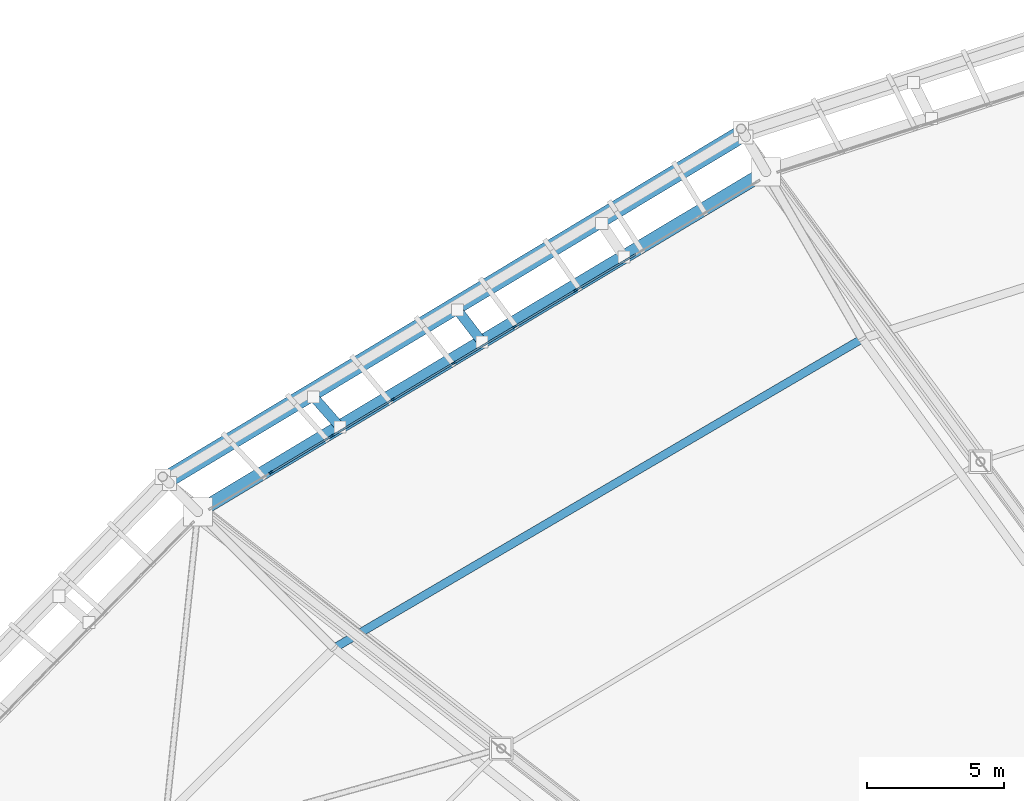
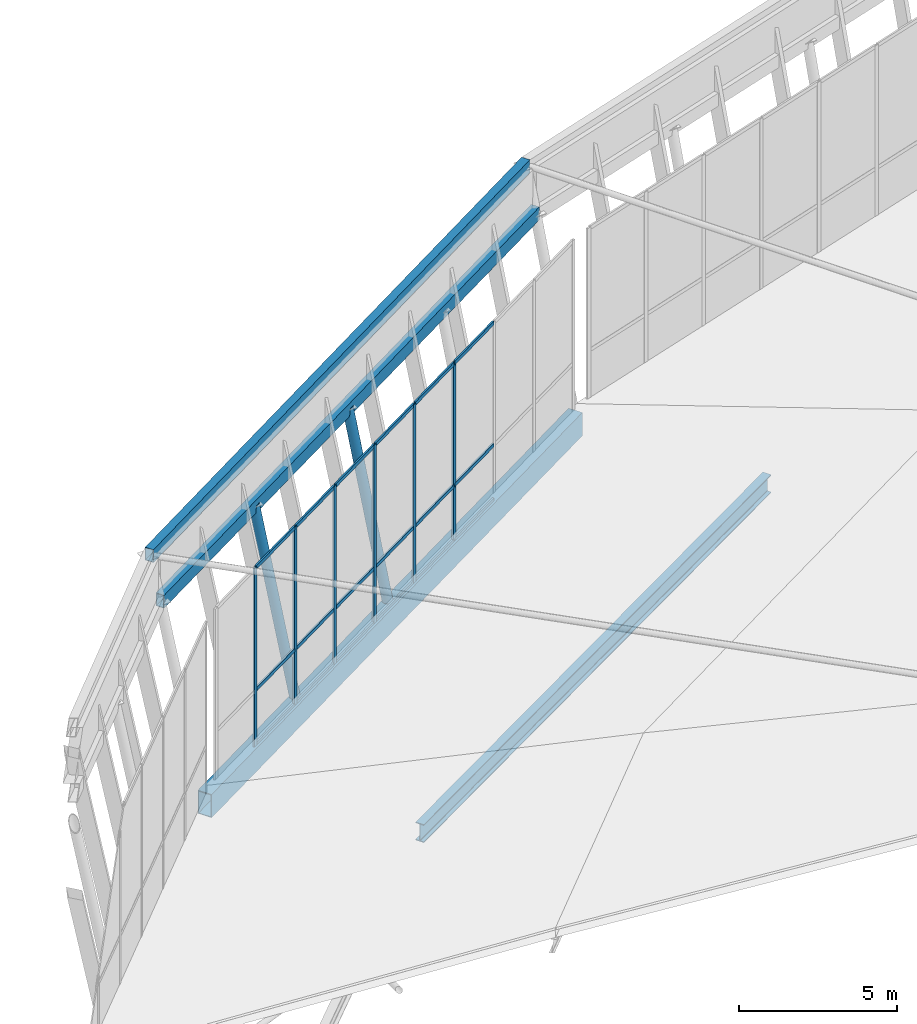
# One storey, part 63 of 115: 26 members, 4 beams, 1 element without a shape of its own.
"""IFC4 building model written with IfcOpenShell, lengths in metres."""

from ifc_helpers import new_model, si_unit, direction, frame, origin, origin_2d, place, context, subcontext, project, spatial, rectangle, hollow_rectangle, hollow_circle, i_section, extrude, material, material_profile, profile_set, type_object, element, aggregate, save


model = new_model("IFC4")

# Units and contexts
model_context = context("Model", 3, precision=1e-05, world=origin(), true_north=direction((0.0, 1.0)))
body_context = subcontext(model_context, "Body", "Model", "MODEL_VIEW")
ifc_project = project(units=[si_unit("LENGTHUNIT", "METRE"), si_unit("AREAUNIT", "SQUARE_METRE"), si_unit("VOLUMEUNIT", "CUBIC_METRE"), si_unit("PLANEANGLEUNIT", "RADIAN"), si_unit("MASSUNIT", "GRAM", prefix="KILO")], contexts=[model_context])

# Site, building, storey
site_placement = place(None, origin())
site = spatial("IfcSite", under=ifc_project, at=site_placement, CompositionType="ELEMENT")
building_placement = place(site_placement, origin())
building = spatial("IfcBuilding", under=site, at=building_placement, Name="Zlatoyarsky Gate Stadium", CompositionType="ELEMENT")
storey_placement = place(building_placement, frame((0.0, 0.0, 31.800048828125)))
storey = spatial("IfcBuildingStorey", under=building, at=storey_placement, Name="RF", CompositionType="ELEMENT", Elevation=31.800048828125)

# Curtain wall, members
ifc_material_1 = material(Name="Thermally broken anodised aluminium curtain wall", Category="aluminium")
curtain_wall_type = type_object("IfcCurtainWallType", Name="UNITISED SKYBOX RING GLAZING L05", PredefinedType="USERDEFINED", material=ifc_material_1)
curtain_wall_placement = place(storey_placement, origin())
curtain_wall = element("IfcCurtainWall", 1, at=curtain_wall_placement, inside=storey, type_object=curtain_wall_type, Name="Curtain wall CW-RF-08", ObjectType="UNITISED GLAZING", PredefinedType="USERDEFINED")
ifc_material_2 = material(Name="Anodised aluminium 6063-T6", Category="aluminium")
ifc_material_profile_1 = material_profile(ifc_material_2, rectangle(XDim=0.06494140625, YDim=0.159912109375, at=origin_2d()), Name="ALU 65X160")
ifc_profile_set_1 = profile_set([ifc_material_profile_1], Name="Anodised aluminium 6063-T6")
member_type_1 = type_object("IfcMemberType", Name="ALUMINIUM MULLION 65X160", PredefinedType="MULLION", material=ifc_profile_set_1)
member_1_placement = place(storey_placement, frame((54.0458984375, 143.25830078125, 0.0), z_axis=(0.0, 0.0, 1.0), x_axis=(0.513435995817, -0.858127891517, 0.0)))
member_1 = element("IfcMember", 2, at=member_1_placement, type_object=member_type_1, Name="CW-UG5 mullion 4", PredefinedType="MULLION", context=body_context, shape_type="SweptSolid", body=[
    extrude(rectangle(XDim=0.06494140625, YDim=0.159912109375, at=origin_2d()), origin(), (0.0, 0.0, 1.0), 6.89990234375),
])
member_2_placement = place(storey_placement, frame((51.82373046875, 141.928466796875, 0.0), z_axis=(0.0, 0.0, 1.0), x_axis=(0.513435995817, -0.858127891517, 0.0)))
member_2 = element("IfcMember", 3, at=member_2_placement, type_object=member_type_1, Name="CW-UG5 mullion 5", PredefinedType="MULLION", context=body_context, shape_type="SweptSolid", body=[
    extrude(rectangle(XDim=0.06494140625, YDim=0.159912109375, at=origin_2d()), origin(), (0.0, 0.0, 1.0), 6.89990234375),
])
member_3_placement = place(storey_placement, frame((49.601318359375, 140.598876953125, 0.0), z_axis=(0.0, 0.0, 1.0), x_axis=(0.513435995817, -0.858127891517, 0.0)))
member_3 = element("IfcMember", 4, at=member_3_placement, type_object=member_type_1, Name="CW-UG5 mullion 6", PredefinedType="MULLION", context=body_context, shape_type="SweptSolid", body=[
    extrude(rectangle(XDim=0.06494140625, YDim=0.159912109375, at=origin_2d()), origin(), (0.0, 0.0, 1.0), 6.89990234375),
])
member_4_placement = place(storey_placement, frame((47.379150390625, 139.269287109375, 0.0), z_axis=(0.0, 0.0, 1.0), x_axis=(0.513435995817, -0.858127891517, 0.0)))
member_4 = element("IfcMember", 5, at=member_4_placement, type_object=member_type_1, Name="CW-UG5 mullion 7", PredefinedType="MULLION", context=body_context, shape_type="SweptSolid", body=[
    extrude(rectangle(XDim=0.06494140625, YDim=0.159912109375, at=origin_2d()), origin(), (0.0, 0.0, 1.0), 6.89990234375),
])
member_5_placement = place(storey_placement, frame((45.15673828125, 137.939697265625, 0.0), z_axis=(0.0, 0.0, 1.0), x_axis=(0.513435995817, -0.858127891517, 0.0)))
member_5 = element("IfcMember", 6, at=member_5_placement, type_object=member_type_1, Name="CW-UG5 mullion 8", PredefinedType="MULLION", context=body_context, shape_type="SweptSolid", body=[
    extrude(rectangle(XDim=0.06494140625, YDim=0.159912109375, at=origin_2d()), origin(), (0.0, 0.0, 1.0), 6.89990234375),
])
member_6_placement = place(storey_placement, frame((42.934326171875, 136.60986328125, 0.0), z_axis=(0.0, 0.0, 1.0), x_axis=(0.513435995817, -0.858127891517, 0.0)))
member_6 = element("IfcMember", 7, at=member_6_placement, type_object=member_type_1, Name="CW-UG5 mullion 9", PredefinedType="MULLION", context=body_context, shape_type="SweptSolid", body=[
    extrude(rectangle(XDim=0.06494140625, YDim=0.159912109375, at=origin_2d()), origin(), (0.0, 0.0, 1.0), 6.89990234375),
])
ifc_material_profile_2 = material_profile(ifc_material_2, rectangle(XDim=0.06494140625, YDim=0.139892578125, at=origin_2d()), Name="ALU 65X140")
ifc_profile_set_2 = profile_set([ifc_material_profile_2], Name="Anodised aluminium 6063-T6")
member_type_2 = type_object("IfcMemberType", Name="ALUMINIUM TRANSOM 65X140", PredefinedType="USERDEFINED", material=ifc_profile_set_2)
member_7_placement = place(storey_placement, frame((56.240478515625, 144.5712890625, 0.032470703125), z_axis=(-0.858106637298, -0.513471517248, 0.0), x_axis=(0.513471517248, -0.858106637298, 0.0)))
member_7 = element("IfcMember", 8, at=member_7_placement, type_object=member_type_2, Name="CW-UG5 transom 3.1", ObjectType="TRANSOM", PredefinedType="USERDEFINED", context=body_context, shape_type="SweptSolid", body=[
    extrude(rectangle(XDim=0.06494140625, YDim=0.139892578125, at=origin_2d()), origin(), (0.0, 0.0, 1.0), 2.524658203125),
])
member_8_placement = place(storey_placement, frame((56.240478515625, 144.5712890625, 2.14990234375), z_axis=(-0.858106637298, -0.513471517248, 0.0), x_axis=(0.513471517248, -0.858106637298, 0.0)))
member_8 = element("IfcMember", 9, at=member_8_placement, type_object=member_type_2, Name="CW-UG5 transom 3.2", ObjectType="TRANSOM", PredefinedType="USERDEFINED", context=body_context, shape_type="SweptSolid", body=[
    extrude(rectangle(XDim=0.06494140625, YDim=0.139892578125, at=origin_2d()), origin(), (0.0, 0.0, 1.0), 2.524658203125),
])
member_9_placement = place(storey_placement, frame((56.240478515625, 144.5712890625, 6.867431640625), z_axis=(-0.858106637298, -0.513471517248, 0.0), x_axis=(0.513471517248, -0.858106637298, 0.0)))
member_9 = element("IfcMember", 10, at=member_9_placement, type_object=member_type_2, Name="CW-UG5 transom 3.3", ObjectType="TRANSOM", PredefinedType="USERDEFINED", context=body_context, shape_type="SweptSolid", body=[
    extrude(rectangle(XDim=0.06494140625, YDim=0.139892578125, at=origin_2d()), origin(), (0.0, 0.0, 1.0), 2.524658203125),
])
member_10_placement = place(storey_placement, frame((54.01806640625, 143.241455078125, 0.032470703125), z_axis=(-0.858149243312, -0.51340030795, 0.0), x_axis=(0.51340030795, -0.858149243312, 0.0)))
member_10 = element("IfcMember", 11, at=member_10_placement, type_object=member_type_2, Name="CW-UG5 transom 4.1", ObjectType="TRANSOM", PredefinedType="USERDEFINED", context=body_context, shape_type="SweptSolid", body=[
    extrude(rectangle(XDim=0.06494140625, YDim=0.139892578125, at=origin_2d()), origin(), (0.0, 0.0, 1.0), 2.524658203125),
])
member_11_placement = place(storey_placement, frame((54.01806640625, 143.241455078125, 2.14990234375), z_axis=(-0.858149243312, -0.51340030795, 0.0), x_axis=(0.51340030795, -0.858149243312, 0.0)))
member_11 = element("IfcMember", 12, at=member_11_placement, type_object=member_type_2, Name="CW-UG5 transom 4.2", ObjectType="TRANSOM", PredefinedType="USERDEFINED", context=body_context, shape_type="SweptSolid", body=[
    extrude(rectangle(XDim=0.06494140625, YDim=0.139892578125, at=origin_2d()), origin(), (0.0, 0.0, 1.0), 2.524658203125),
])
member_12_placement = place(storey_placement, frame((54.01806640625, 143.241455078125, 6.867431640625), z_axis=(-0.858149243312, -0.51340030795, 0.0), x_axis=(0.51340030795, -0.858149243312, 0.0)))
member_12 = element("IfcMember", 13, at=member_12_placement, type_object=member_type_2, Name="CW-UG5 transom 4.3", ObjectType="TRANSOM", PredefinedType="USERDEFINED", context=body_context, shape_type="SweptSolid", body=[
    extrude(rectangle(XDim=0.06494140625, YDim=0.139892578125, at=origin_2d()), origin(), (0.0, 0.0, 1.0), 2.524658203125),
])
member_13_placement = place(storey_placement, frame((51.795654296875, 141.911865234375, 0.032470703125), z_axis=(-0.858149243312, -0.51340030795, 0.0), x_axis=(0.51340030795, -0.858149243312, 0.0)))
member_13 = element("IfcMember", 14, at=member_13_placement, type_object=member_type_2, Name="CW-UG5 transom 5.1", ObjectType="TRANSOM", PredefinedType="USERDEFINED", context=body_context, shape_type="SweptSolid", body=[
    extrude(rectangle(XDim=0.06494140625, YDim=0.139892578125, at=origin_2d()), origin(), (0.0, 0.0, 1.0), 2.524658203125),
])
member_14_placement = place(storey_placement, frame((51.795654296875, 141.911865234375, 2.14990234375), z_axis=(-0.858149243312, -0.51340030795, 0.0), x_axis=(0.51340030795, -0.858149243312, 0.0)))
member_14 = element("IfcMember", 15, at=member_14_placement, type_object=member_type_2, Name="CW-UG5 transom 5.2", ObjectType="TRANSOM", PredefinedType="USERDEFINED", context=body_context, shape_type="SweptSolid", body=[
    extrude(rectangle(XDim=0.06494140625, YDim=0.139892578125, at=origin_2d()), origin(), (0.0, 0.0, 1.0), 2.524658203125),
])
member_15_placement = place(storey_placement, frame((51.795654296875, 141.911865234375, 6.867431640625), z_axis=(-0.858149243312, -0.51340030795, 0.0), x_axis=(0.51340030795, -0.858149243312, 0.0)))
member_15 = element("IfcMember", 16, at=member_15_placement, type_object=member_type_2, Name="CW-UG5 transom 5.3", ObjectType="TRANSOM", PredefinedType="USERDEFINED", context=body_context, shape_type="SweptSolid", body=[
    extrude(rectangle(XDim=0.06494140625, YDim=0.139892578125, at=origin_2d()), origin(), (0.0, 0.0, 1.0), 2.524658203125),
])
member_16_placement = place(storey_placement, frame((49.573486328125, 140.582275390625, 0.032470703125), z_axis=(-0.858106637298, -0.513471517248, 0.0), x_axis=(0.513471517248, -0.858106637298, 0.0)))
member_16 = element("IfcMember", 17, at=member_16_placement, type_object=member_type_2, Name="CW-UG5 transom 6.1", ObjectType="TRANSOM", PredefinedType="USERDEFINED", context=body_context, shape_type="SweptSolid", body=[
    extrude(rectangle(XDim=0.06494140625, YDim=0.139892578125, at=origin_2d()), origin(), (0.0, 0.0, 1.0), 2.524658203125),
])
member_17_placement = place(storey_placement, frame((49.573486328125, 140.582275390625, 2.14990234375), z_axis=(-0.858106637298, -0.513471517248, 0.0), x_axis=(0.513471517248, -0.858106637298, 0.0)))
member_17 = element("IfcMember", 18, at=member_17_placement, type_object=member_type_2, Name="CW-UG5 transom 6.2", ObjectType="TRANSOM", PredefinedType="USERDEFINED", context=body_context, shape_type="SweptSolid", body=[
    extrude(rectangle(XDim=0.06494140625, YDim=0.139892578125, at=origin_2d()), origin(), (0.0, 0.0, 1.0), 2.524658203125),
])
member_18_placement = place(storey_placement, frame((49.573486328125, 140.582275390625, 6.867431640625), z_axis=(-0.858106637298, -0.513471517248, 0.0), x_axis=(0.513471517248, -0.858106637298, 0.0)))
member_18 = element("IfcMember", 19, at=member_18_placement, type_object=member_type_2, Name="CW-UG5 transom 6.3", ObjectType="TRANSOM", PredefinedType="USERDEFINED", context=body_context, shape_type="SweptSolid", body=[
    extrude(rectangle(XDim=0.06494140625, YDim=0.139892578125, at=origin_2d()), origin(), (0.0, 0.0, 1.0), 2.524658203125),
])
member_19_placement = place(storey_placement, frame((47.35107421875, 139.252685546875, 0.032470703125), z_axis=(-0.858106637298, -0.513471517248, 0.0), x_axis=(0.513471517248, -0.858106637298, 0.0)))
member_19 = element("IfcMember", 20, at=member_19_placement, type_object=member_type_2, Name="CW-UG5 transom 7.1", ObjectType="TRANSOM", PredefinedType="USERDEFINED", context=body_context, shape_type="SweptSolid", body=[
    extrude(rectangle(XDim=0.06494140625, YDim=0.139892578125, at=origin_2d()), origin(), (0.0, 0.0, 1.0), 2.524658203125),
])
member_20_placement = place(storey_placement, frame((47.35107421875, 139.252685546875, 2.14990234375), z_axis=(-0.858106637298, -0.513471517248, 0.0), x_axis=(0.513471517248, -0.858106637298, 0.0)))
member_20 = element("IfcMember", 21, at=member_20_placement, type_object=member_type_2, Name="CW-UG5 transom 7.2", ObjectType="TRANSOM", PredefinedType="USERDEFINED", context=body_context, shape_type="SweptSolid", body=[
    extrude(rectangle(XDim=0.06494140625, YDim=0.139892578125, at=origin_2d()), origin(), (0.0, 0.0, 1.0), 2.524658203125),
])
member_21_placement = place(storey_placement, frame((47.35107421875, 139.252685546875, 6.867431640625), z_axis=(-0.858106637298, -0.513471517248, 0.0), x_axis=(0.513471517248, -0.858106637298, 0.0)))
member_21 = element("IfcMember", 22, at=member_21_placement, type_object=member_type_2, Name="CW-UG5 transom 7.3", ObjectType="TRANSOM", PredefinedType="USERDEFINED", context=body_context, shape_type="SweptSolid", body=[
    extrude(rectangle(XDim=0.06494140625, YDim=0.139892578125, at=origin_2d()), origin(), (0.0, 0.0, 1.0), 2.524658203125),
])
member_22_placement = place(storey_placement, frame((45.12890625, 137.9228515625, 0.032470703125), z_axis=(-0.858149243312, -0.51340030795, 0.0), x_axis=(0.51340030795, -0.858149243312, 0.0)))
member_22 = element("IfcMember", 23, at=member_22_placement, type_object=member_type_2, Name="CW-UG5 transom 8.1", ObjectType="TRANSOM", PredefinedType="USERDEFINED", context=body_context, shape_type="SweptSolid", body=[
    extrude(rectangle(XDim=0.06494140625, YDim=0.139892578125, at=origin_2d()), origin(), (0.0, 0.0, 1.0), 2.524658203125),
])
member_23_placement = place(storey_placement, frame((45.12890625, 137.9228515625, 2.14990234375), z_axis=(-0.858149243312, -0.51340030795, 0.0), x_axis=(0.51340030795, -0.858149243312, 0.0)))
member_23 = element("IfcMember", 24, at=member_23_placement, type_object=member_type_2, Name="CW-UG5 transom 8.2", ObjectType="TRANSOM", PredefinedType="USERDEFINED", context=body_context, shape_type="SweptSolid", body=[
    extrude(rectangle(XDim=0.06494140625, YDim=0.139892578125, at=origin_2d()), origin(), (0.0, 0.0, 1.0), 2.524658203125),
])
member_24_placement = place(storey_placement, frame((45.12890625, 137.9228515625, 6.867431640625), z_axis=(-0.858149243312, -0.51340030795, 0.0), x_axis=(0.51340030795, -0.858149243312, 0.0)))
member_24 = element("IfcMember", 25, at=member_24_placement, type_object=member_type_2, Name="CW-UG5 transom 8.3", ObjectType="TRANSOM", PredefinedType="USERDEFINED", context=body_context, shape_type="SweptSolid", body=[
    extrude(rectangle(XDim=0.06494140625, YDim=0.139892578125, at=origin_2d()), origin(), (0.0, 0.0, 1.0), 2.524658203125),
])
aggregate(curtain_wall, [member_1, member_2, member_3, member_4, member_5, member_6, member_7, member_8, member_9, member_10, member_11, member_12, member_13, member_14, member_15, member_16, member_17, member_18, member_19, member_20, member_21, member_22, member_23, member_24])

# Members
ifc_material_3 = material(Name="Steel S355", Category="steel")
ifc_material_profile_3 = material_profile(ifc_material_3, hollow_circle(Radius=0.177734375, WallThickness=0.02001953125, at=origin_2d()), Name="CHS 355.6X20")
ifc_profile_set_3 = profile_set([ifc_material_profile_3], Name="Steel S355")
member_type_3 = type_object("IfcMemberType", Name="STEEL LEANING RIB RING STRUT CHS 355.6X20", PredefinedType="STRUT", material=ifc_profile_set_3)
member_25_placement = place(storey_placement, frame((50.6279296875, 141.373779296875, -0.449951171875), z_axis=(-0.114467859113, 0.149205762334, 0.982158210125), x_axis=(-0.793409192517, -0.608688634056, 0.0)))
element("IfcMember", 26, at=member_25_placement, inside=storey, type_object=member_type_3, Name="Outward-leaning bowl louvre fin rib RF 08-2", PredefinedType="STRUT", context=body_context, shape_type="SweptSolid", body=[
    extrude(hollow_circle(Radius=0.177734375, WallThickness=0.02001953125, at=origin_2d()), origin(), (0.0, 0.0, 1.0), 7.73779296875),
])
member_26_placement = place(storey_placement, frame((45.448974609375, 138.27392578125, -0.449951171875), z_axis=(-0.124302075226, 0.141653887757, 0.982081040535), x_axis=(-0.751642626138, -0.659570589529, 0.0)))
element("IfcMember", 27, at=member_26_placement, inside=storey, type_object=member_type_3, Name="Outward-leaning bowl louvre fin rib RF 08-3", PredefinedType="STRUT", context=body_context, shape_type="SweptSolid", body=[
    extrude(hollow_circle(Radius=0.177734375, WallThickness=0.02001953125, at=origin_2d()), origin(), (0.0, 0.0, 1.0), 7.738525390625),
])

# Beams
ifc_material_profile_4 = material_profile(ifc_material_3, hollow_rectangle(XDim=0.300048828125, YDim=0.5, WallThickness=0.02001953125, at=origin_2d()), Name="RHS 500X300X20")
ifc_profile_set_4 = profile_set([ifc_material_profile_4], Name="Steel S355")
beam_type_1 = type_object("IfcBeamType", Name="STEEL LOUVRE CARRIER SPANDREL RHS 500X300X20", PredefinedType="SPANDREL", material=ifc_profile_set_4)
beam_1_placement = place(storey_placement, frame((60.25244140625, 148.844970703125, 7.14990234375), z_axis=(-0.857114994867, -0.515125116427, 0.0), x_axis=(0.515125116427, -0.857114994867, 0.0)))
element("IfcBeam", 28, at=beam_1_placement, inside=storey, type_object=beam_type_1, Name="Crown eaves fascia bottom carrier spandrel 08", PredefinedType="SPANDREL", context=body_context, shape_type="SweptSolid", body=[
    extrude(hollow_rectangle(XDim=0.300048828125, YDim=0.5, WallThickness=0.02001953125, at=origin_2d()), origin(), (0.0, 0.0, 1.0), 24.524658203125),
])
beam_2_placement = place(storey_placement, frame((60.077880859375, 149.147216796875, 8.849853515625), z_axis=(-0.856897250125, -0.515487247882, 0.0), x_axis=(0.515487247882, -0.856897250125, 0.0)))
element("IfcBeam", 29, at=beam_2_placement, inside=storey, type_object=beam_type_1, Name="Crown fascia top carrier spandrel 08", PredefinedType="SPANDREL", context=body_context, shape_type="SweptSolid", body=[
    extrude(hollow_rectangle(XDim=0.300048828125, YDim=0.5, WallThickness=0.02001953125, at=origin_2d()), origin(), (0.0, 0.0, 1.0), 24.614990234375),
])
ifc_material_profile_5 = material_profile(ifc_material_3, hollow_rectangle(XDim=0.5, YDim=0.89990234375, WallThickness=0.028076171875, at=origin_2d()), Name="RHS 900X500X28")
ifc_profile_set_5 = profile_set([ifc_material_profile_5], Name="Steel S355")
beam_type_2 = type_object("IfcBeamType", Name="STEEL OUTER COMPRESSION RING BEAM RHS 900X500X28", PredefinedType="USERDEFINED", material=ifc_profile_set_5)
beam_3_placement = place(storey_placement, frame((60.986083984375, 147.573974609375, -0.449951171875), z_axis=(-0.85803403139, -0.513592835792, 0.0), x_axis=(0.513592835792, -0.85803403139, 0.0)))
element("IfcBeam", 30, at=beam_3_placement, inside=storey, type_object=beam_type_2, Name="Outer compression ring beam 08", ObjectType="RING BEAM", PredefinedType="USERDEFINED", context=body_context, shape_type="SweptSolid", body=[
    extrude(hollow_rectangle(XDim=0.5, YDim=0.89990234375, WallThickness=0.028076171875, at=origin_2d()), origin(), (0.0, 0.0, 1.0), 24.14404296875),
])
ifc_material_profile_6 = material_profile(ifc_material_3, i_section(OverallWidth=0.300048828125, OverallDepth=0.699951171875, WebThickness=0.01708984375, FlangeThickness=0.031982421875, FilletRadius=0.027099609375, at=origin_2d()), Name="HEB 700")
ifc_profile_set_6 = profile_set([ifc_material_profile_6], Name="Steel S355")
beam_type_3 = type_object("IfcBeamType", Name="STEEL ROOF RING GIRDER HEB 700", PredefinedType="BEAM", material=ifc_profile_set_6)
beam_4_placement = place(storey_placement, frame((64.465576171875, 141.467529296875, -0.300048828125), z_axis=(-0.862849851446, -0.505460318778, 0.0), x_axis=(0.505460318778, -0.862849851446, 0.0)))
element("IfcBeam", 31, at=beam_4_placement, inside=storey, type_object=beam_type_3, Name="RF roof tie girder BM-RF-CRC-08", PredefinedType="BEAM", context=body_context, shape_type="SweptSolid", body=[
    extrude(i_section(OverallWidth=0.300048828125, OverallDepth=0.699951171875, WebThickness=0.01708984375, FlangeThickness=0.031982421875, FilletRadius=0.027099609375, at=origin_2d()), origin(), (0.0, 0.0, 1.0), 22.242431640625),
])

save(model, "model.ifc")
